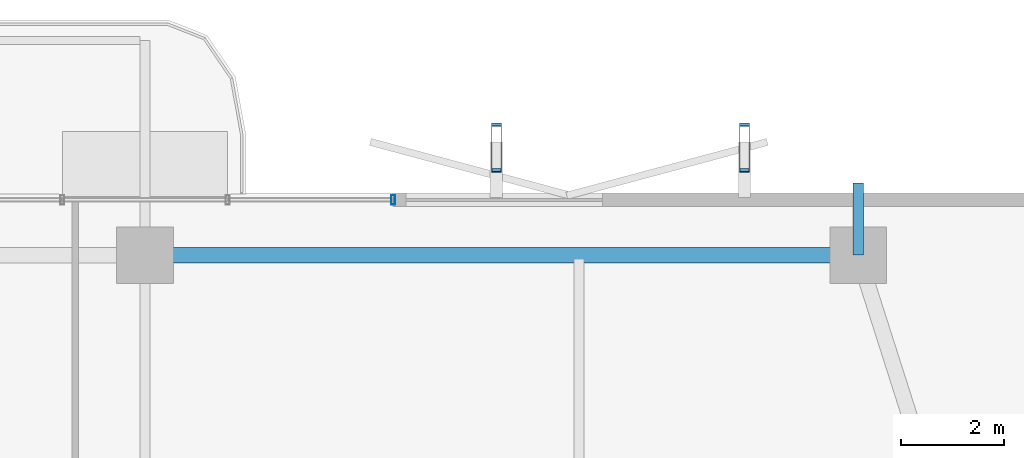
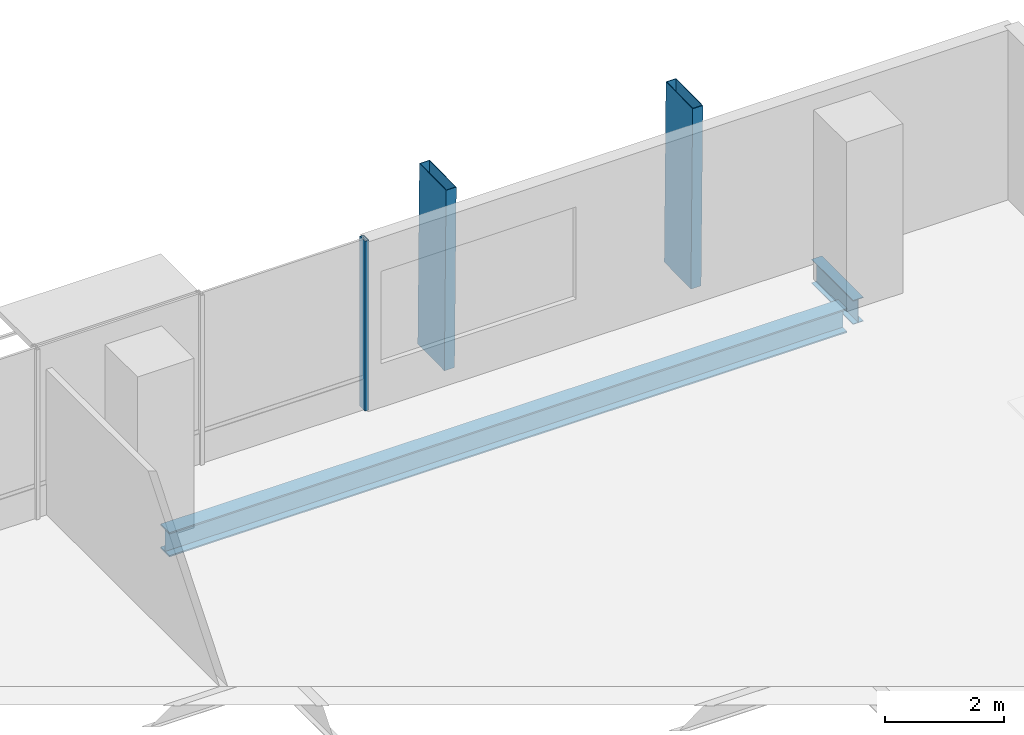
# One storey, part 16 of 25: 3 members, 2 beams, 1 element without a shape of its own.
"""IFC4 building model written with IfcOpenShell, lengths in metres."""

from ifc_helpers import new_model, si_unit, direction, frame, origin, origin_2d, place, context, subcontext, project, spatial, hollow_rectangle, i_section, extrude, material, layer, layer_set, material_profile, profile_set, type_object, element, aggregate, save


model = new_model("IFC4")

# Units and contexts
model_context = context("Model", 3, precision=1e-05, world=origin(), true_north=direction((0.0, 1.0)))
body_context = subcontext(model_context, "Body", "Model", "MODEL_VIEW")
ifc_project = project(units=[si_unit("LENGTHUNIT", "METRE"), si_unit("AREAUNIT", "SQUARE_METRE"), si_unit("VOLUMEUNIT", "CUBIC_METRE"), si_unit("PLANEANGLEUNIT", "RADIAN"), si_unit("MASSUNIT", "GRAM", prefix="KILO")], contexts=[model_context])

# Site, building, storey
site_placement = place(None, origin())
site = spatial("IfcSite", under=ifc_project, at=site_placement, CompositionType="ELEMENT")
building_placement = place(site_placement, origin())
building = spatial("IfcBuilding", under=site, at=building_placement, Name="Belovzor Exchange Tower", CompositionType="ELEMENT")
storey_placement = place(building_placement, frame((0.0, 0.0, 175.800048828125)))
storey = spatial("IfcBuildingStorey", under=building, at=storey_placement, Name="L43", CompositionType="ELEMENT", Elevation=175.800048828125)

# Beam
ifc_material_1 = material(Name="Steel S355", Category="steel")
ifc_material_profile_1 = material_profile(ifc_material_1, i_section(OverallWidth=0.199951171875, OverallDepth=0.5, WebThickness=0.01025390625, FlangeThickness=0.01611328125, at=origin_2d()))
ifc_profile_set_1 = profile_set([ifc_material_profile_1], Name="Steel S355")
beam_type_1 = type_object("IfcBeamType", Name="Planted Balcony Cantilever Beam IPE 500", PredefinedType="BEAM", material=ifc_profile_set_1)
beam_1_placement = place(storey_placement, frame((42.60009765625, 51.89990234375, -0.505126953125), z_axis=(0.0, 1.0, 0.0), x_axis=(-1.0, 0.0, 0.0)))
element("IfcBeam", 1, at=beam_1_placement, inside=storey, type_object=beam_type_1, Name="BC-500 Planted Balcony Cantilever Beam IPE 500", PredefinedType="BEAM", context=body_context, shape_type="SweptSolid", body=[
    extrude(i_section(OverallWidth=0.199951171875, OverallDepth=0.5, WebThickness=0.01025390625, FlangeThickness=0.01611328125, at=origin_2d()), origin(), (0.0, 0.0, 1.0), 1.400146484375),
])

# Members
ifc_material_2 = material(Name="Extruded Architectural Terracotta on Steel S355 Carrier", Category="masonry")
ifc_material_profile_2 = material_profile(ifc_material_2, hollow_rectangle(XDim=0.199951171875, YDim=0.89990234375, WallThickness=0.011962890625, at=origin_2d()))
ifc_profile_set_2 = profile_set([ifc_material_profile_2], Name="Extruded Architectural Terracotta on Steel S355 Carrier")
member_type_1 = type_object("IfcMemberType", Name="Sweeping Terracotta Baguette Fin Assembly 1250", PredefinedType="USERDEFINED", material=ifc_profile_set_2)
for number, where, z_axis, x_axis, name in (
    (2, (35.60009765625, 54.010986328125, -0.255126953125), (0.0, -0.01549293194, 0.999879977327), (1.0, 0.0, 0.0), "FIN-TC125 Terracotta Facade Fin L43 N3"),
    (3, (40.39990234375, 54.010986328125, -0.255126953125), (0.0, -0.01549293194, 0.999879977327), (1.0, 0.0, 0.0), "FIN-TC125 Terracotta Facade Fin L43 N4"),
):
    element("IfcMember", number, at=place(storey_placement, frame(where, z_axis=z_axis, x_axis=x_axis)), inside=storey, type_object=member_type_1, Name=name, ObjectType="FIN", PredefinedType="USERDEFINED", context=body_context, shape_type="SweptSolid", body=[
        extrude(hollow_rectangle(XDim=0.199951171875, YDim=0.89990234375, WallThickness=0.011962890625, at=origin_2d()), origin(), (0.0, 0.0, 1.0), 3.75048828125),
    ])

# Curtain wall, member
ifc_material_3 = material(Name="Anodised Aluminium Framing", Category="aluminium")
ifc_layer = layer(ifc_material_3, 0.179931640625)
ifc_layer_set = layer_set([ifc_layer], Name="Anodised Aluminium Framing")
curtain_wall_type = type_object("IfcCurtainWallType", Name="Recessed Loggia Low-Iron Triple-Glazed Curtain Wall", PredefinedType="NOTDEFINED", material=ifc_layer_set)
curtain_wall_placement = place(storey_placement, origin())
curtain_wall = element("IfcCurtainWall", 4, at=curtain_wall_placement, inside=storey, type_object=curtain_wall_type, Name="CW3 Recessed Loggia Low-Iron Triple-Glazed Curtain Wall L43", PredefinedType="NOTDEFINED")
ifc_material_4 = material(Name="Steel S355", Category="steel")
ifc_material_profile_3 = material_profile(ifc_material_4, hollow_rectangle(XDim=0.074951171875, YDim=0.179931640625, WallThickness=0.0048828125, at=origin_2d()))
ifc_profile_set_3 = profile_set([ifc_material_profile_3], Name="Steel S355")
member_type_2 = type_object("IfcMemberType", Name="Thermally Broken Curtain Wall Mullion 180x75", PredefinedType="MULLION", material=ifc_profile_set_3)
member_placement = place(storey_placement, frame((33.60009765625, 52.969970703125, 0.0), z_axis=(0.0, 0.0, 1.0), x_axis=(1.0, 0.0, 0.0)))
member = element("IfcMember", 5, at=member_placement, type_object=member_type_2, Name="CW-M180 Curtain Wall Mullion 4", PredefinedType="MULLION", context=body_context, shape_type="SweptSolid", body=[
    extrude(hollow_rectangle(XDim=0.074951171875, YDim=0.179931640625, WallThickness=0.0048828125, at=origin_2d()), origin(), (0.0, 0.0, 1.0), 3.494873046875),
])
aggregate(curtain_wall, [member])

# Beam
ifc_material_5 = material(Name="Steel S355", Category="steel")
ifc_material_profile_4 = material_profile(ifc_material_5, i_section(OverallWidth=0.300048828125, OverallDepth=0.5, WebThickness=0.014404296875, FlangeThickness=0.028076171875, at=origin_2d()))
ifc_profile_set_4 = profile_set([ifc_material_profile_4], Name="Steel S355")
beam_type_2 = type_object("IfcBeamType", Name="Zone 3 Waist Primary Girder HEB 500", PredefinedType="BEAM", material=ifc_profile_set_4)
beam_2_placement = place(storey_placement, frame((42.297119140625, 51.89990234375, -0.505126953125), z_axis=(-1.0, 0.0, 0.0), x_axis=(0.0, -1.0, 0.0)))
element("IfcBeam", 6, at=beam_2_placement, inside=storey, type_object=beam_type_2, Name="FG-Z3 Zone 3 Waist Primary Girder HEB 500", PredefinedType="BEAM", context=body_context, shape_type="SweptSolid", body=[
    extrude(i_section(OverallWidth=0.300048828125, OverallDepth=0.5, WebThickness=0.014404296875, FlangeThickness=0.028076171875, at=origin_2d()), origin(), (0.0, 0.0, 1.0), 13.195068359375),
])

save(model, "model.ifc")
